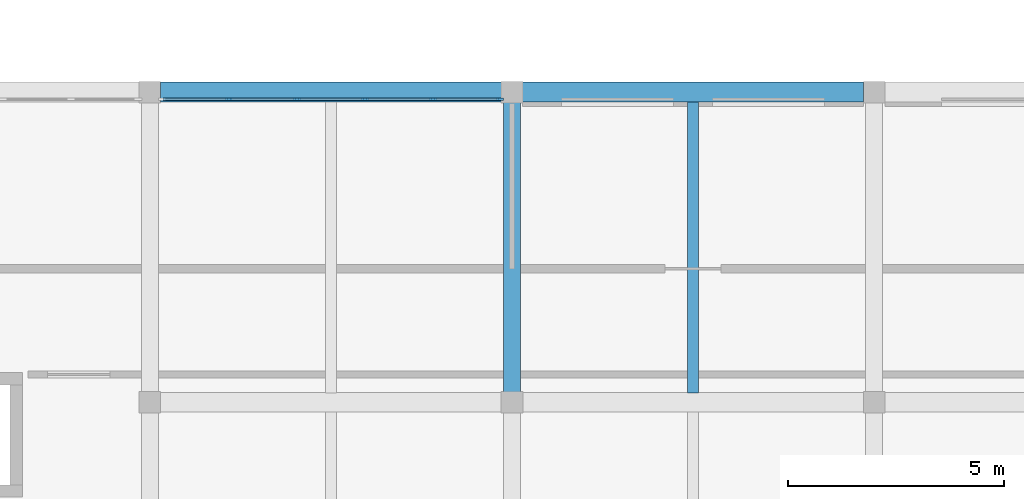
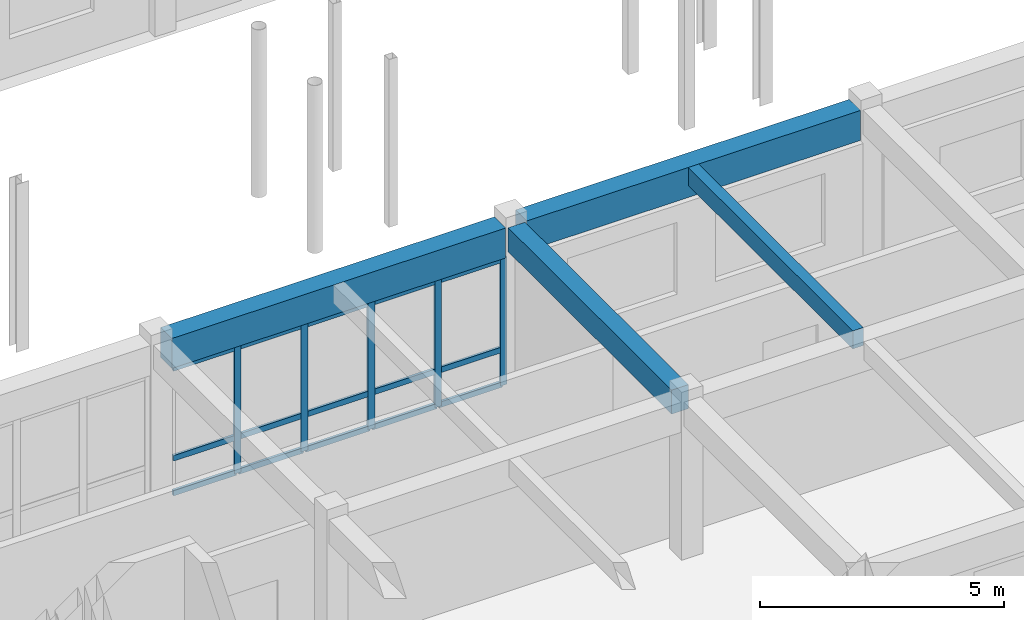
# One storey, part 31 of 90: 20 members, 4 beams, 1 element without a shape of its own.
"""IFC4 building model written with IfcOpenShell, lengths in metres."""

from ifc_helpers import new_model, si_unit, direction, frame, origin, origin_2d, place, context, subcontext, project, spatial, rectangle, extrude, material, material_profile, profile_set, type_object, element, aggregate, save


model = new_model("IFC4")

# Units and contexts
model_context = context("Model", 3, precision=1e-05, world=origin(), true_north=direction((0.0, 1.0)))
body_context = subcontext(model_context, "Body", "Model", "MODEL_VIEW")
ifc_project = project(units=[si_unit("LENGTHUNIT", "METRE"), si_unit("AREAUNIT", "SQUARE_METRE"), si_unit("VOLUMEUNIT", "CUBIC_METRE"), si_unit("PLANEANGLEUNIT", "RADIAN"), si_unit("MASSUNIT", "GRAM", prefix="KILO")], contexts=[model_context])

# Site, building, storey
site_placement = place(None, origin())
site = spatial("IfcSite", under=ifc_project, at=site_placement, CompositionType="ELEMENT")
building_placement = place(site_placement, origin())
building = spatial("IfcBuilding", under=site, at=building_placement, Name="Malvenik Polytechnic", CompositionType="ELEMENT")
storey_placement = place(building_placement, frame((0.0, 0.0, 9.300048828125)))
storey = spatial("IfcBuildingStorey", under=building, at=storey_placement, Name="L02", CompositionType="ELEMENT", Elevation=9.300048828125)

# Curtain wall, members
ifc_material_1 = material(Name="Anodised aluminium 6060-T6", Category="aluminium")
curtain_wall_type = type_object("IfcCurtainWallType", Name="ARC-CW-CW-03", PredefinedType="NOTDEFINED", material=ifc_material_1)
curtain_wall_placement = place(storey_placement, origin())
curtain_wall = element("IfcCurtainWall", 1, at=curtain_wall_placement, inside=storey, type_object=curtain_wall_type, Name="Unitised Curtain Wall CW-03 L02 #140", PredefinedType="NOTDEFINED")
ifc_material_2 = material(Name="Anodised aluminium", Category="aluminium")
ifc_material_profile_1 = material_profile(ifc_material_2, rectangle(XDim=0.06005859375, YDim=0.159912109375, at=origin_2d()), Name="ALU MULLION 60x160")
ifc_profile_set_1 = profile_set([ifc_material_profile_1], Name="Anodised aluminium")
member_type_1 = type_object("IfcMemberType", Name="ARC-CWM-160", PredefinedType="MULLION", material=ifc_profile_set_1)
member_1_placement = place(storey_placement, frame((52.228759765625, 64.6298828125, 0.0), z_axis=(0.0, 0.0, 1.0), x_axis=(0.0, 1.0, 0.0)))
member_1 = element("IfcMember", 2, at=member_1_placement, type_object=member_type_1, Name="CW-03 mullion 2", PredefinedType="MULLION", context=body_context, shape_type="SweptSolid", body=[
    extrude(rectangle(XDim=0.06005859375, YDim=0.159912109375, at=origin_2d()), origin(), (0.0, 0.0, 1.0), 3.179931640625),
])
member_2_placement = place(storey_placement, frame((53.8095703125, 64.6298828125, 0.0), z_axis=(0.0, 0.0, 1.0), x_axis=(0.0, 1.0, 0.0)))
member_2 = element("IfcMember", 3, at=member_2_placement, type_object=member_type_1, Name="CW-03 mullion 3", PredefinedType="MULLION", context=body_context, shape_type="SweptSolid", body=[
    extrude(rectangle(XDim=0.06005859375, YDim=0.159912109375, at=origin_2d()), origin(), (0.0, 0.0, 1.0), 3.179931640625),
])
member_3_placement = place(storey_placement, frame((55.390380859375, 64.6298828125, 0.0), z_axis=(0.0, 0.0, 1.0), x_axis=(0.0, 1.0, 0.0)))
member_3 = element("IfcMember", 4, at=member_3_placement, type_object=member_type_1, Name="CW-03 mullion 4", PredefinedType="MULLION", context=body_context, shape_type="SweptSolid", body=[
    extrude(rectangle(XDim=0.06005859375, YDim=0.159912109375, at=origin_2d()), origin(), (0.0, 0.0, 1.0), 3.179931640625),
])
member_4_placement = place(storey_placement, frame((56.97119140625, 64.6298828125, 0.0), z_axis=(0.0, 0.0, 1.0), x_axis=(0.0, 1.0, 0.0)))
member_4 = element("IfcMember", 5, at=member_4_placement, type_object=member_type_1, Name="CW-03 mullion 5", PredefinedType="MULLION", context=body_context, shape_type="SweptSolid", body=[
    extrude(rectangle(XDim=0.06005859375, YDim=0.159912109375, at=origin_2d()), origin(), (0.0, 0.0, 1.0), 3.179931640625),
])
member_5_placement = place(storey_placement, frame((58.52197265625, 64.6298828125, 0.0), z_axis=(0.0, 0.0, 1.0), x_axis=(0.0, 1.0, 0.0)))
member_5 = element("IfcMember", 6, at=member_5_placement, type_object=member_type_1, Name="CW-03 mullion 6", PredefinedType="MULLION", context=body_context, shape_type="SweptSolid", body=[
    extrude(rectangle(XDim=0.06005859375, YDim=0.159912109375, at=origin_2d()), origin(), (0.0, 0.0, 1.0), 3.179931640625),
])
ifc_material_profile_2 = material_profile(ifc_material_2, rectangle(XDim=0.06005859375, YDim=0.139892578125, at=origin_2d()), Name="ALU TRANSOM 60x140")
ifc_profile_set_2 = profile_set([ifc_material_profile_2], Name="Anodised aluminium")
member_type_2 = type_object("IfcMemberType", Name="ARC-CWT-140", PredefinedType="USERDEFINED", material=ifc_profile_set_2)
member_6_placement = place(storey_placement, frame((50.7080078125, 64.6298828125, 0.030029296875), z_axis=(1.0, 0.0, 0.0), x_axis=(0.0, 1.0, 0.0)))
member_6 = element("IfcMember", 7, at=member_6_placement, type_object=member_type_2, Name="CW-03 transom 1.1", ObjectType="TRANSOM", PredefinedType="USERDEFINED", context=body_context, shape_type="SweptSolid", body=[
    extrude(rectangle(XDim=0.06005859375, YDim=0.139892578125, at=origin_2d()), origin(), (0.0, 0.0, 1.0), 1.49072265625),
])
member_7_placement = place(storey_placement, frame((50.7080078125, 64.6298828125, 0.89990234375), z_axis=(1.0, 0.0, 0.0), x_axis=(0.0, 1.0, 0.0)))
member_7 = element("IfcMember", 8, at=member_7_placement, type_object=member_type_2, Name="CW-03 transom 1.2", ObjectType="TRANSOM", PredefinedType="USERDEFINED", context=body_context, shape_type="SweptSolid", body=[
    extrude(rectangle(XDim=0.06005859375, YDim=0.139892578125, at=origin_2d()), origin(), (0.0, 0.0, 1.0), 1.49072265625),
])
member_8_placement = place(storey_placement, frame((50.7080078125, 64.6298828125, 3.14990234375), z_axis=(1.0, 0.0, 0.0), x_axis=(0.0, 1.0, 0.0)))
member_8 = element("IfcMember", 9, at=member_8_placement, type_object=member_type_2, Name="CW-03 transom 1.3", ObjectType="TRANSOM", PredefinedType="USERDEFINED", context=body_context, shape_type="SweptSolid", body=[
    extrude(rectangle(XDim=0.06005859375, YDim=0.139892578125, at=origin_2d()), origin(), (0.0, 0.0, 1.0), 1.49072265625),
])
member_9_placement = place(storey_placement, frame((52.2587890625, 64.6298828125, 0.030029296875), z_axis=(1.0, 0.0, 0.0), x_axis=(0.0, 1.0, 0.0)))
member_9 = element("IfcMember", 10, at=member_9_placement, type_object=member_type_2, Name="CW-03 transom 2.1", ObjectType="TRANSOM", PredefinedType="USERDEFINED", context=body_context, shape_type="SweptSolid", body=[
    extrude(rectangle(XDim=0.06005859375, YDim=0.139892578125, at=origin_2d()), origin(), (0.0, 0.0, 1.0), 1.520751953125),
])
member_10_placement = place(storey_placement, frame((52.2587890625, 64.6298828125, 0.89990234375), z_axis=(1.0, 0.0, 0.0), x_axis=(0.0, 1.0, 0.0)))
member_10 = element("IfcMember", 11, at=member_10_placement, type_object=member_type_2, Name="CW-03 transom 2.2", ObjectType="TRANSOM", PredefinedType="USERDEFINED", context=body_context, shape_type="SweptSolid", body=[
    extrude(rectangle(XDim=0.06005859375, YDim=0.139892578125, at=origin_2d()), origin(), (0.0, 0.0, 1.0), 1.520751953125),
])
member_11_placement = place(storey_placement, frame((52.2587890625, 64.6298828125, 3.14990234375), z_axis=(1.0, 0.0, 0.0), x_axis=(0.0, 1.0, 0.0)))
member_11 = element("IfcMember", 12, at=member_11_placement, type_object=member_type_2, Name="CW-03 transom 2.3", ObjectType="TRANSOM", PredefinedType="USERDEFINED", context=body_context, shape_type="SweptSolid", body=[
    extrude(rectangle(XDim=0.06005859375, YDim=0.139892578125, at=origin_2d()), origin(), (0.0, 0.0, 1.0), 1.520751953125),
])
member_12_placement = place(storey_placement, frame((53.839599609375, 64.6298828125, 0.030029296875), z_axis=(1.0, 0.0, 0.0), x_axis=(0.0, 1.0, 0.0)))
member_12 = element("IfcMember", 13, at=member_12_placement, type_object=member_type_2, Name="CW-03 transom 3.1", ObjectType="TRANSOM", PredefinedType="USERDEFINED", context=body_context, shape_type="SweptSolid", body=[
    extrude(rectangle(XDim=0.06005859375, YDim=0.139892578125, at=origin_2d()), origin(), (0.0, 0.0, 1.0), 1.520751953125),
])
member_13_placement = place(storey_placement, frame((53.839599609375, 64.6298828125, 0.89990234375), z_axis=(1.0, 0.0, 0.0), x_axis=(0.0, 1.0, 0.0)))
member_13 = element("IfcMember", 14, at=member_13_placement, type_object=member_type_2, Name="CW-03 transom 3.2", ObjectType="TRANSOM", PredefinedType="USERDEFINED", context=body_context, shape_type="SweptSolid", body=[
    extrude(rectangle(XDim=0.06005859375, YDim=0.139892578125, at=origin_2d()), origin(), (0.0, 0.0, 1.0), 1.520751953125),
])
member_14_placement = place(storey_placement, frame((53.839599609375, 64.6298828125, 3.14990234375), z_axis=(1.0, 0.0, 0.0), x_axis=(0.0, 1.0, 0.0)))
member_14 = element("IfcMember", 15, at=member_14_placement, type_object=member_type_2, Name="CW-03 transom 3.3", ObjectType="TRANSOM", PredefinedType="USERDEFINED", context=body_context, shape_type="SweptSolid", body=[
    extrude(rectangle(XDim=0.06005859375, YDim=0.139892578125, at=origin_2d()), origin(), (0.0, 0.0, 1.0), 1.520751953125),
])
member_15_placement = place(storey_placement, frame((55.42041015625, 64.6298828125, 0.030029296875), z_axis=(1.0, 0.0, 0.0), x_axis=(0.0, 1.0, 0.0)))
member_15 = element("IfcMember", 16, at=member_15_placement, type_object=member_type_2, Name="CW-03 transom 4.1", ObjectType="TRANSOM", PredefinedType="USERDEFINED", context=body_context, shape_type="SweptSolid", body=[
    extrude(rectangle(XDim=0.06005859375, YDim=0.139892578125, at=origin_2d()), origin(), (0.0, 0.0, 1.0), 1.520751953125),
])
member_16_placement = place(storey_placement, frame((55.42041015625, 64.6298828125, 0.89990234375), z_axis=(1.0, 0.0, 0.0), x_axis=(0.0, 1.0, 0.0)))
member_16 = element("IfcMember", 17, at=member_16_placement, type_object=member_type_2, Name="CW-03 transom 4.2", ObjectType="TRANSOM", PredefinedType="USERDEFINED", context=body_context, shape_type="SweptSolid", body=[
    extrude(rectangle(XDim=0.06005859375, YDim=0.139892578125, at=origin_2d()), origin(), (0.0, 0.0, 1.0), 1.520751953125),
])
member_17_placement = place(storey_placement, frame((55.42041015625, 64.6298828125, 3.14990234375), z_axis=(1.0, 0.0, 0.0), x_axis=(0.0, 1.0, 0.0)))
member_17 = element("IfcMember", 18, at=member_17_placement, type_object=member_type_2, Name="CW-03 transom 4.3", ObjectType="TRANSOM", PredefinedType="USERDEFINED", context=body_context, shape_type="SweptSolid", body=[
    extrude(rectangle(XDim=0.06005859375, YDim=0.139892578125, at=origin_2d()), origin(), (0.0, 0.0, 1.0), 1.520751953125),
])
member_18_placement = place(storey_placement, frame((57.001220703125, 64.6298828125, 0.030029296875), z_axis=(1.0, 0.0, 0.0), x_axis=(0.0, 1.0, 0.0)))
member_18 = element("IfcMember", 19, at=member_18_placement, type_object=member_type_2, Name="CW-03 transom 5.1", ObjectType="TRANSOM", PredefinedType="USERDEFINED", context=body_context, shape_type="SweptSolid", body=[
    extrude(rectangle(XDim=0.06005859375, YDim=0.139892578125, at=origin_2d()), origin(), (0.0, 0.0, 1.0), 1.49072265625),
])
member_19_placement = place(storey_placement, frame((57.001220703125, 64.6298828125, 0.89990234375), z_axis=(1.0, 0.0, 0.0), x_axis=(0.0, 1.0, 0.0)))
member_19 = element("IfcMember", 20, at=member_19_placement, type_object=member_type_2, Name="CW-03 transom 5.2", ObjectType="TRANSOM", PredefinedType="USERDEFINED", context=body_context, shape_type="SweptSolid", body=[
    extrude(rectangle(XDim=0.06005859375, YDim=0.139892578125, at=origin_2d()), origin(), (0.0, 0.0, 1.0), 1.49072265625),
])
member_20_placement = place(storey_placement, frame((57.001220703125, 64.6298828125, 3.14990234375), z_axis=(1.0, 0.0, 0.0), x_axis=(0.0, 1.0, 0.0)))
member_20 = element("IfcMember", 21, at=member_20_placement, type_object=member_type_2, Name="CW-03 transom 5.3", ObjectType="TRANSOM", PredefinedType="USERDEFINED", context=body_context, shape_type="SweptSolid", body=[
    extrude(rectangle(XDim=0.06005859375, YDim=0.139892578125, at=origin_2d()), origin(), (0.0, 0.0, 1.0), 1.49072265625),
])
aggregate(curtain_wall, [member_1, member_2, member_3, member_4, member_5, member_6, member_7, member_8, member_9, member_10, member_11, member_12, member_13, member_14, member_15, member_16, member_17, member_18, member_19, member_20])

# Beams
ifc_material_3 = material(Name="Concrete C35/45", Category="concrete")
ifc_material_profile_3 = material_profile(ifc_material_3, rectangle(XDim=0.39990234375, YDim=0.60009765625, at=origin_2d()), Name="RC BM 400x600")
ifc_profile_set_3 = profile_set([ifc_material_profile_3], Name="Concrete C35/45")
beam_type_1 = type_object("IfcBeamType", Name="STR-BM-B-06", PredefinedType="BEAM", material=ifc_profile_set_3)
beam_1_placement = place(storey_placement, frame((58.800048828125, 57.847900390625, 3.639892578125), z_axis=(0.0, 1.0, 0.0), x_axis=(-1.0, 0.0, 0.0)))
element("IfcBeam", 22, at=beam_1_placement, inside=storey, type_object=beam_type_1, Name="Transverse Beam B-06 L02 #1498", PredefinedType="BEAM", context=body_context, shape_type="SweptSolid", body=[
    extrude(rectangle(XDim=0.39990234375, YDim=0.60009765625, at=origin_2d()), origin(), (0.0, 0.0, 1.0), 6.7041015625),
])
ifc_material_4 = material(Name="Concrete C30/37", Category="concrete")
ifc_material_profile_4 = material_profile(ifc_material_4, rectangle(XDim=0.25, YDim=0.449951171875, at=origin_2d()), Name="RC JST 250x450")
ifc_profile_set_4 = profile_set([ifc_material_profile_4], Name="Concrete C30/37")
beam_type_2 = type_object("IfcBeamType", Name="STR-BM-J-02", PredefinedType="JOIST", material=ifc_profile_set_4)
beam_2_placement = place(storey_placement, frame((63.0, 57.822998046875, 3.71484375), z_axis=(0.0, 1.0, 0.0), x_axis=(-1.0, 0.0, 0.0)))
element("IfcBeam", 23, at=beam_2_placement, inside=storey, type_object=beam_type_2, Name="Secondary Rib Joist J-02 L02 #1584", PredefinedType="JOIST", context=body_context, shape_type="SweptSolid", body=[
    extrude(rectangle(XDim=0.25, YDim=0.449951171875, at=origin_2d()), origin(), (0.0, 0.0, 1.0), 6.7490234375),
])
ifc_material_5 = material(Name="Precast concrete C40/50", Category="concrete")
ifc_material_profile_5 = material_profile(ifc_material_5, rectangle(XDim=0.4599609375, YDim=0.75, at=origin_2d()), Name="PC SPN 460x750")
ifc_profile_set_5 = profile_set([ifc_material_profile_5], Name="Precast concrete C40/50")
beam_type_3 = type_object("IfcBeamType", Name="STR-BM-SP-02", PredefinedType="SPANDREL", material=ifc_profile_set_5)
beam_3_placement = place(storey_placement, frame((50.64794921875, 64.800048828125, 3.56494140625), z_axis=(1.0, 0.0, 0.0), x_axis=(0.0, 1.0, 0.0)))
element("IfcBeam", 24, at=beam_3_placement, inside=storey, type_object=beam_type_3, Name="Primary Beam SP-02 L02 #1366", PredefinedType="SPANDREL", context=body_context, shape_type="SweptSolid", body=[
    extrude(rectangle(XDim=0.4599609375, YDim=0.75, at=origin_2d()), origin(), (0.0, 0.0, 1.0), 7.904052734375),
])
beam_4_placement = place(storey_placement, frame((59.048095703125, 64.800048828125, 3.56494140625), z_axis=(1.0, 0.0, 0.0), x_axis=(0.0, 1.0, 0.0)))
element("IfcBeam", 25, at=beam_4_placement, inside=storey, type_object=beam_type_3, Name="Primary Beam SP-02 L02 #1367", PredefinedType="SPANDREL", context=body_context, shape_type="SweptSolid", body=[
    extrude(rectangle(XDim=0.4599609375, YDim=0.75, at=origin_2d()), origin(), (0.0, 0.0, 1.0), 7.90380859375),
])

save(model, "model.ifc")
